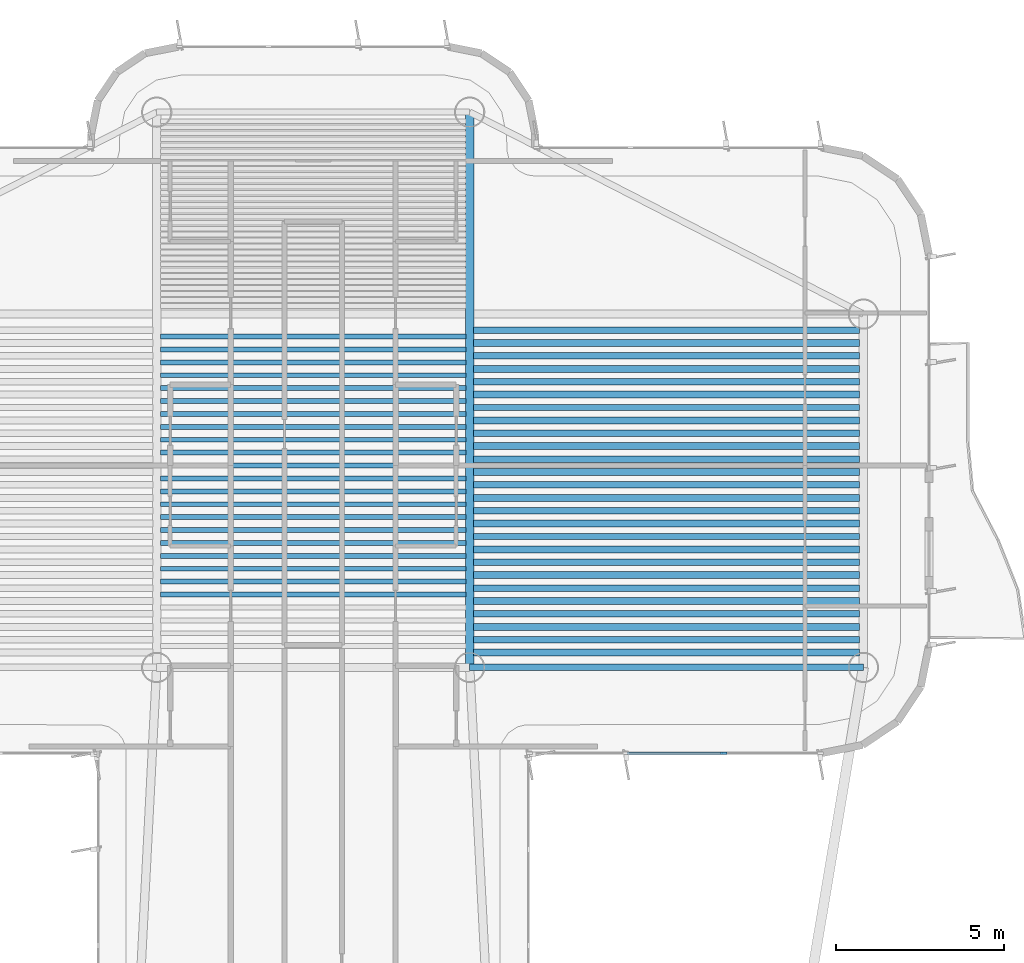
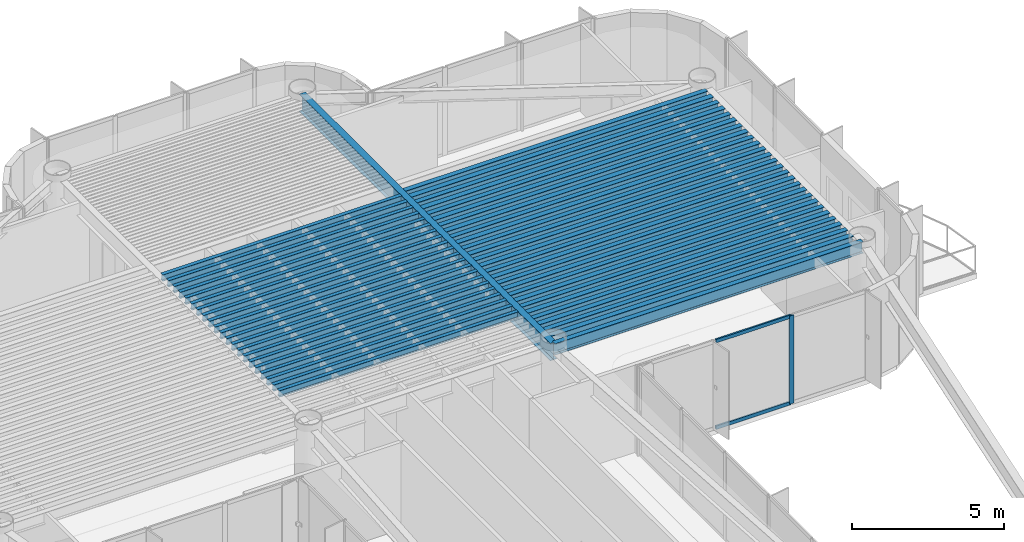
# One storey, part 6 of 16: 49 beams, 3 members, 1 element without a shape of its own.
"""IFC4 building model written with IfcOpenShell, lengths in metres."""

from ifc_helpers import new_model, si_unit, direction, frame, origin, origin_2d, place, context, subcontext, project, spatial, rectangle, i_section, extrude, source, transform, mapped, material, layer, layer_set, material_profile, profile_set, type_object, element, aggregate, save


model = new_model("IFC4")

# Units and contexts
model_context = context("Model", 3, precision=1e-05, world=origin(), true_north=direction((0.0, 1.0)))
body_context = subcontext(model_context, "Body", "Model", "MODEL_VIEW")
ifc_project = project(units=[si_unit("LENGTHUNIT", "METRE"), si_unit("AREAUNIT", "SQUARE_METRE"), si_unit("VOLUMEUNIT", "CUBIC_METRE"), si_unit("PLANEANGLEUNIT", "RADIAN"), si_unit("MASSUNIT", "GRAM", prefix="KILO")], contexts=[model_context])

# Site, building, storey
site_placement = place(None, origin())
site = spatial("IfcSite", under=ifc_project, at=site_placement, CompositionType="ELEMENT")
building_placement = place(site_placement, origin())
building = spatial("IfcBuilding", under=site, at=building_placement, Name="Brelvock Crest Care Tower", CompositionType="ELEMENT")
storey_placement = place(building_placement, frame((0.0, 0.0, 226.800048828125)))
storey = spatial("IfcBuildingStorey", under=building, at=storey_placement, Name="L57", CompositionType="ELEMENT", Elevation=226.800048828125)

# Beams
ifc_material_1 = material(Name="Steel Grade 350", Category="steel")
ifc_material_profile_1 = material_profile(ifc_material_1, i_section(OverallWidth=0.14599609375, OverallDepth=0.256103515625, WebThickness=0.00634765625, FlangeThickness=0.010986328125, FilletRadius=0.0087890625, at=origin_2d()), Name="250UB37.3")
ifc_profile_set_1 = profile_set([ifc_material_profile_1], Name="Steel Grade 350")
beam_type_1 = type_object("IfcBeamType", Name="BM-J3", PredefinedType="JOIST", material=ifc_profile_set_1)
shared_shape_1 = source(origin(), body_context, "Body", "SweptSolid", [
    extrude(i_section(OverallWidth=0.14599609375, OverallDepth=0.256103515625, WebThickness=0.00634765625, FlangeThickness=0.010986328125, FilletRadius=0.0087890625, at=origin_2d()), origin(), (0.0, 0.0, 1.0), 9.06982421875),
])
for number, where, z_axis, x_axis, name in (
    (1, (31.465087890625, 46.115478515625, 3.40185546875), (1.0, 0.0, 0.0), (0.0, 1.0, 0.0), "BM-JH-L57-5"),
    (2, (31.465087890625, 46.498779296875, 3.40185546875), (1.0, 0.0, 0.0), (0.0, 1.0, 0.0), "BM-JH-L57-6"),
    (3, (31.465087890625, 46.882080078125, 3.40185546875), (1.0, 0.0, 0.0), (0.0, 1.0, 0.0), "BM-JH-L57-7"),
    (4, (31.465087890625, 47.265380859375, 3.40185546875), (1.0, 0.0, 0.0), (0.0, 1.0, 0.0), "BM-JH-L57-8"),
    (5, (31.465087890625, 47.648681640625, 3.40185546875), (1.0, 0.0, 0.0), (0.0, 1.0, 0.0), "BM-JH-L57-9"),
    (6, (31.465087890625, 48.031982421875, 3.40185546875), (1.0, 0.0, 0.0), (0.0, 1.0, 0.0), "BM-JH-L57-10"),
    (7, (31.465087890625, 48.4150390625, 3.40185546875), (1.0, 0.0, 0.0), (0.0, 1.0, 0.0), "BM-JH-L57-11"),
    (8, (31.465087890625, 48.79833984375, 3.40185546875), (1.0, 0.0, 0.0), (0.0, 1.0, 0.0), "BM-JH-L57-12"),
    (9, (31.465087890625, 49.181640625, 3.40185546875), (1.0, 0.0, 0.0), (0.0, 1.0, 0.0), "BM-JH-L57-13"),
    (10, (31.465087890625, 49.564697265625, 3.40185546875), (1.0, 0.0, 0.0), (0.0, 1.0, 0.0), "BM-JH-L57-14"),
    (11, (31.465087890625, 49.947998046875, 3.40185546875), (1.0, 0.0, 0.0), (0.0, 1.0, 0.0), "BM-JH-L57-15"),
    (12, (31.465087890625, 50.331298828125, 3.40185546875), (1.0, 0.0, 0.0), (0.0, 1.0, 0.0), "BM-JH-L57-16"),
    (13, (31.465087890625, 50.714599609375, 3.40185546875), (1.0, 0.0, 0.0), (0.0, 1.0, 0.0), "BM-JH-L57-17"),
    (14, (31.465087890625, 51.097900390625, 3.40185546875), (1.0, 0.0, 0.0), (0.0, 1.0, 0.0), "BM-JH-L57-18"),
    (15, (31.465087890625, 51.481201171875, 3.40185546875), (1.0, 0.0, 0.0), (0.0, 1.0, 0.0), "BM-JH-L57-19"),
    (16, (31.465087890625, 51.864501953125, 3.40185546875), (1.0, 0.0, 0.0), (0.0, 1.0, 0.0), "BM-JH-L57-20"),
    (17, (31.465087890625, 52.24755859375, 3.40185546875), (1.0, 0.0, 0.0), (0.0, 1.0, 0.0), "BM-JH-L57-21"),
    (18, (31.465087890625, 52.630859375, 3.40185546875), (1.0, 0.0, 0.0), (0.0, 1.0, 0.0), "BM-JH-L57-22"),
    (19, (31.465087890625, 53.01416015625, 3.40185546875), (1.0, 0.0, 0.0), (0.0, 1.0, 0.0), "BM-JH-L57-23"),
    (20, (31.465087890625, 53.3974609375, 3.40185546875), (1.0, 0.0, 0.0), (0.0, 1.0, 0.0), "BM-JH-L57-24"),
    (21, (31.465087890625, 53.780517578125, 3.40185546875), (1.0, 0.0, 0.0), (0.0, 1.0, 0.0), "BM-JH-L57-25"),
):
    element("IfcBeam", number, at=place(storey_placement, frame(where, z_axis=z_axis, x_axis=x_axis)), inside=storey, type_object=beam_type_1, Name=name, PredefinedType="JOIST", context=body_context, shape_type="MappedRepresentation", body=[
        mapped(shared_shape_1, transform((0.0, 0.0, 0.0), x_axis=(1.0, 0.0, 0.0), y_axis=(0.0, 1.0, 0.0), z_axis=(0.0, 0.0, 1.0), scale=1.0)),
    ])
ifc_material_profile_2 = material_profile(ifc_material_1, i_section(OverallWidth=0.19091796875, OverallDepth=0.4599609375, WebThickness=0.010009765625, FlangeThickness=0.01611328125, FilletRadius=0.011474609375, at=origin_2d()), Name="460UB82.1")
ifc_profile_set_2 = profile_set([ifc_material_profile_2], Name="Steel Grade 350")
beam_type_2 = type_object("IfcBeamType", Name="BM-G3", PredefinedType="BEAM", material=ifc_profile_set_2)
shared_shape_2 = source(origin(), body_context, "Body", "SweptSolid", [
    extrude(i_section(OverallWidth=0.19091796875, OverallDepth=0.4599609375, WebThickness=0.010009765625, FlangeThickness=0.01611328125, FilletRadius=0.011474609375, at=origin_2d()), origin(), (0.0, 0.0, 1.0), 11.47021484375),
])
for number, where, z_axis, x_axis, name in (
    (22, (40.764892578125, 44.7744140625, 3.300048828125), (1.0, 0.0, 0.0), (0.0, 1.0, 0.0), "BM-JE-L57-2"),
    (23, (40.764892578125, 45.540771484375, 3.300048828125), (1.0, 0.0, 0.0), (0.0, 1.0, 0.0), "BM-JE-L57-4"),
    (24, (40.764892578125, 46.307373046875, 3.300048828125), (1.0, 0.0, 0.0), (0.0, 1.0, 0.0), "BM-JE-L57-6"),
    (25, (40.764892578125, 47.07373046875, 3.300048828125), (1.0, 0.0, 0.0), (0.0, 1.0, 0.0), "BM-JE-L57-8"),
    (26, (40.764892578125, 47.84033203125, 3.300048828125), (1.0, 0.0, 0.0), (0.0, 1.0, 0.0), "BM-JE-L57-10"),
    (27, (40.764892578125, 48.606689453125, 3.300048828125), (1.0, 0.0, 0.0), (0.0, 1.0, 0.0), "BM-JE-L57-12"),
    (28, (40.764892578125, 49.373291015625, 3.300048828125), (1.0, 0.0, 0.0), (0.0, 1.0, 0.0), "BM-JE-L57-14"),
    (29, (40.764892578125, 50.139892578125, 3.300048828125), (1.0, 0.0, 0.0), (0.0, 1.0, 0.0), "BM-JE-L57-16"),
    (30, (40.764892578125, 50.90625, 3.300048828125), (1.0, 0.0, 0.0), (0.0, 1.0, 0.0), "BM-JE-L57-18"),
    (31, (40.764892578125, 51.6728515625, 3.300048828125), (1.0, 0.0, 0.0), (0.0, 1.0, 0.0), "BM-JE-L57-20"),
    (32, (40.764892578125, 52.439208984375, 3.300048828125), (1.0, 0.0, 0.0), (0.0, 1.0, 0.0), "BM-JE-L57-22"),
    (33, (40.764892578125, 53.205810546875, 3.300048828125), (1.0, 0.0, 0.0), (0.0, 1.0, 0.0), "BM-JE-L57-24"),
    (34, (40.764892578125, 53.972412109375, 3.300048828125), (1.0, 0.0, 0.0), (0.0, 1.0, 0.0), "BM-JE-L57-26"),
):
    element("IfcBeam", number, at=place(storey_placement, frame(where, z_axis=z_axis, x_axis=x_axis)), inside=storey, type_object=beam_type_2, Name=name, PredefinedType="BEAM", context=body_context, shape_type="MappedRepresentation", body=[
        mapped(shared_shape_2, transform((0.0, 0.0, 0.0), x_axis=(1.0, 0.0, 0.0), y_axis=(0.0, 1.0, 0.0), z_axis=(0.0, 0.0, 1.0), scale=1.0)),
    ])
ifc_material_profile_3 = material_profile(ifc_material_1, i_section(OverallWidth=0.208984375, OverallDepth=0.532958984375, WebThickness=0.01025390625, FlangeThickness=0.015625, FilletRadius=0.013916015625, at=origin_2d()), Name="530UB92.4")
ifc_profile_set_3 = profile_set([ifc_material_profile_3], Name="Steel Grade 350")
beam_type_3 = type_object("IfcBeamType", Name="BM-G2", PredefinedType="BEAM", material=ifc_profile_set_3)
shared_shape_3 = source(origin(), body_context, "Body", "SweptSolid", [
    extrude(i_section(OverallWidth=0.208984375, OverallDepth=0.532958984375, WebThickness=0.01025390625, FlangeThickness=0.015625, FilletRadius=0.013916015625, at=origin_2d()), origin(), (0.0, 0.0, 1.0), 11.47021484375),
])
for number, where, z_axis, x_axis, name in (
    (35, (40.764892578125, 44.39111328125, 3.263427734375), (1.0, 0.0, 0.0), (0.0, 1.0, 0.0), "BM-JE-L57-1"),
    (36, (40.764892578125, 45.157470703125, 3.263427734375), (1.0, 0.0, 0.0), (0.0, 1.0, 0.0), "BM-JE-L57-3"),
    (37, (40.764892578125, 45.924072265625, 3.263427734375), (1.0, 0.0, 0.0), (0.0, 1.0, 0.0), "BM-JE-L57-5"),
    (38, (40.764892578125, 46.6904296875, 3.263427734375), (1.0, 0.0, 0.0), (0.0, 1.0, 0.0), "BM-JE-L57-7"),
    (39, (40.764892578125, 47.45703125, 3.263427734375), (1.0, 0.0, 0.0), (0.0, 1.0, 0.0), "BM-JE-L57-9"),
    (40, (40.764892578125, 48.223388671875, 3.263427734375), (1.0, 0.0, 0.0), (0.0, 1.0, 0.0), "BM-JE-L57-11"),
    (41, (40.764892578125, 48.989990234375, 3.263427734375), (1.0, 0.0, 0.0), (0.0, 1.0, 0.0), "BM-JE-L57-13"),
    (42, (40.764892578125, 49.756591796875, 3.263427734375), (1.0, 0.0, 0.0), (0.0, 1.0, 0.0), "BM-JE-L57-15"),
    (43, (40.764892578125, 50.52294921875, 3.263427734375), (1.0, 0.0, 0.0), (0.0, 1.0, 0.0), "BM-JE-L57-17"),
    (44, (40.764892578125, 51.28955078125, 3.263427734375), (1.0, 0.0, 0.0), (0.0, 1.0, 0.0), "BM-JE-L57-19"),
    (45, (40.764892578125, 52.055908203125, 3.263427734375), (1.0, 0.0, 0.0), (0.0, 1.0, 0.0), "BM-JE-L57-21"),
    (46, (40.764892578125, 52.822509765625, 3.263427734375), (1.0, 0.0, 0.0), (0.0, 1.0, 0.0), "BM-JE-L57-23"),
    (47, (40.764892578125, 53.589111328125, 3.263427734375), (1.0, 0.0, 0.0), (0.0, 1.0, 0.0), "BM-JE-L57-25"),
):
    element("IfcBeam", number, at=place(storey_placement, frame(where, z_axis=z_axis, x_axis=x_axis)), inside=storey, type_object=beam_type_3, Name=name, PredefinedType="BEAM", context=body_context, shape_type="MappedRepresentation", body=[
        mapped(shared_shape_3, transform((0.0, 0.0, 0.0), x_axis=(1.0, 0.0, 0.0), y_axis=(0.0, 1.0, 0.0), z_axis=(0.0, 0.0, 1.0), scale=1.0)),
    ])
ifc_material_profile_4 = material_profile(ifc_material_1, i_section(OverallWidth=0.19091796875, OverallDepth=0.4599609375, WebThickness=0.010009765625, FlangeThickness=0.01611328125, FilletRadius=0.011474609375, at=origin_2d()), Name="460UB82.1")
ifc_profile_set_4 = profile_set([ifc_material_profile_4], Name="Steel Grade 350")
beam_type_4 = type_object("IfcBeamType", Name="BM-SP2", PredefinedType="SPANDREL", material=ifc_profile_set_4)
shared_shape_4 = source(origin(), body_context, "Body", "SweptSolid", [
    extrude(i_section(OverallWidth=0.19091796875, OverallDepth=0.4599609375, WebThickness=0.010009765625, FlangeThickness=0.01611328125, FilletRadius=0.011474609375, at=origin_2d()), origin(), (0.0, 0.0, 1.0), 11.7001953125),
])
beam_1_placement = place(storey_placement, frame((40.64990234375, 43.949951171875, 3.300048828125), z_axis=(1.0, 0.0, 0.0), x_axis=(0.0, 1.0, 0.0)))
element("IfcBeam", 48, at=beam_1_placement, inside=storey, type_object=beam_type_4, Name="BM-TWR-L57-04", PredefinedType="SPANDREL", context=body_context, shape_type="MappedRepresentation", body=[
    mapped(shared_shape_4, transform((0.0, 0.0, 0.0), x_axis=(1.0, 0.0, 0.0), y_axis=(0.0, 1.0, 0.0), z_axis=(0.0, 0.0, 1.0), scale=1.0)),
])
ifc_material_profile_5 = material_profile(ifc_material_1, i_section(OverallWidth=0.25, OverallDepth=0.699951171875, WebThickness=0.011962890625, FlangeThickness=0.02001953125, at=origin_2d()), Name="700WB150")
ifc_profile_set_5 = profile_set([ifc_material_profile_5], Name="Steel Grade 350")
beam_type_5 = type_object("IfcBeamType", Name="BM-G4", PredefinedType="BEAM", material=ifc_profile_set_5)
shared_shape_5 = source(origin(), body_context, "Body", "SweptSolid", [
    extrude(i_section(OverallWidth=0.25, OverallDepth=0.699951171875, WebThickness=0.011962890625, FlangeThickness=0.02001953125, at=origin_2d()), origin(), (0.0, 0.0, 1.0), 16.5),
])
beam_2_placement = place(storey_placement, frame((40.64990234375, 43.949951171875, 3.179931640625), z_axis=(0.0, 1.0, 0.0), x_axis=(-1.0, 0.0, 0.0)))
element("IfcBeam", 49, at=beam_2_placement, inside=storey, type_object=beam_type_5, Name="BM-TWR-L57-10", PredefinedType="BEAM", context=body_context, shape_type="MappedRepresentation", body=[
    mapped(shared_shape_5, transform((0.0, 0.0, 0.0), x_axis=(1.0, 0.0, 0.0), y_axis=(0.0, 1.0, 0.0), z_axis=(0.0, 0.0, 1.0), scale=1.0)),
])

# Curtain wall, members
ifc_material_2 = material(Name="Dark Glass Double Glazed Low-E", Category="glass")
ifc_layer = layer(ifc_material_2, 0.239990234375, Name="CWS-5")
ifc_layer_set = layer_set([ifc_layer], Name="Dark Glass Double Glazed Low-E")
curtain_wall_type = type_object("IfcCurtainWallType", Name="CWS-5", PredefinedType="NOTDEFINED", material=ifc_layer_set)
curtain_wall_placement = place(storey_placement, origin())
curtain_wall = element("IfcCurtainWall", 50, at=curtain_wall_placement, inside=storey, type_object=curtain_wall_type, Name="L57 Curtain Wall E44", PredefinedType="NOTDEFINED")
ifc_material_3 = material(Name="Aluminium 6063-T6", Category="aluminium")
ifc_material_profile_6 = material_profile(ifc_material_3, rectangle(XDim=0.06005859375, YDim=0.179931640625, at=origin_2d()), Name="ALU60x180")
ifc_profile_set_6 = profile_set([ifc_material_profile_6], Name="Aluminium 6063-T6")
member_type_1 = type_object("IfcMemberType", Name="CWM-2", PredefinedType="MULLION", material=ifc_profile_set_6)
shared_shape_6 = source(origin(), body_context, "Body", "SweptSolid", [
    extrude(rectangle(XDim=0.06005859375, YDim=0.179931640625, at=origin_2d()), origin(), (0.0, 0.0, 1.0), 3.530029296875),
])
member_1_placement = place(storey_placement, frame((48.199951171875, 41.39990234375, 0.0), z_axis=(0.0, 0.0, 1.0), x_axis=(0.0, -1.0, 0.0)))
member_1 = element("IfcMember", 51, at=member_1_placement, type_object=member_type_1, Name="CW-5 mullion 2", PredefinedType="MULLION", context=body_context, shape_type="MappedRepresentation", body=[
    mapped(shared_shape_6, transform((0.0, 0.0, 0.0), x_axis=(1.0, 0.0, 0.0), y_axis=(0.0, 1.0, 0.0), z_axis=(0.0, 0.0, 1.0), scale=1.0)),
])
ifc_material_profile_7 = material_profile(ifc_material_3, rectangle(XDim=0.06005859375, YDim=0.139892578125, at=origin_2d()), Name="ALU60x140")
ifc_profile_set_7 = profile_set([ifc_material_profile_7], Name="Aluminium 6063-T6")
member_type_2 = type_object("IfcMemberType", Name="CWT-2", PredefinedType="USERDEFINED", material=ifc_profile_set_7)
shared_shape_7 = source(origin(), body_context, "Body", "SweptSolid", [
    extrude(rectangle(XDim=0.06005859375, YDim=0.139892578125, at=origin_2d()), origin(), (0.0, 0.0, 1.0), 2.83984375),
])
member_2_placement = place(storey_placement, frame((48.169921875, 41.39990234375, 0.030029296875), z_axis=(-1.0, 0.0, 0.0), x_axis=(0.0, -1.0, 0.0)))
member_2 = element("IfcMember", 52, at=member_2_placement, type_object=member_type_2, Name="CW-5 transom 2.1", ObjectType="TRANSOM", PredefinedType="USERDEFINED", context=body_context, shape_type="MappedRepresentation", body=[
    mapped(shared_shape_7, transform((0.0, 0.0, 0.0), x_axis=(1.0, 0.0, 0.0), y_axis=(0.0, 1.0, 0.0), z_axis=(0.0, 0.0, 1.0), scale=1.0)),
])
member_3_placement = place(storey_placement, frame((48.169921875, 41.39990234375, 3.5), z_axis=(-1.0, 0.0, 0.0), x_axis=(0.0, -1.0, 0.0)))
member_3 = element("IfcMember", 53, at=member_3_placement, type_object=member_type_2, Name="CW-5 transom 2.2", ObjectType="TRANSOM", PredefinedType="USERDEFINED", context=body_context, shape_type="MappedRepresentation", body=[
    mapped(shared_shape_7, transform((0.0, 0.0, 0.0), x_axis=(1.0, 0.0, 0.0), y_axis=(0.0, 1.0, 0.0), z_axis=(0.0, 0.0, 1.0), scale=1.0)),
])
aggregate(curtain_wall, [member_1, member_2, member_3])

save(model, "model.ifc")
